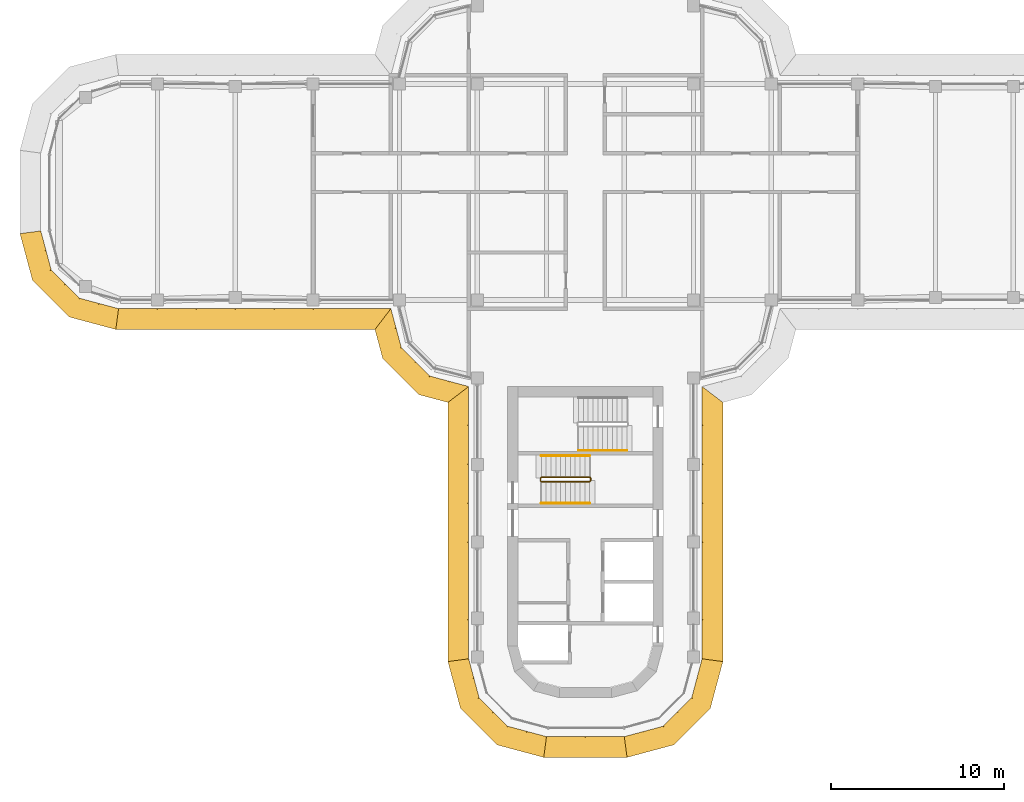
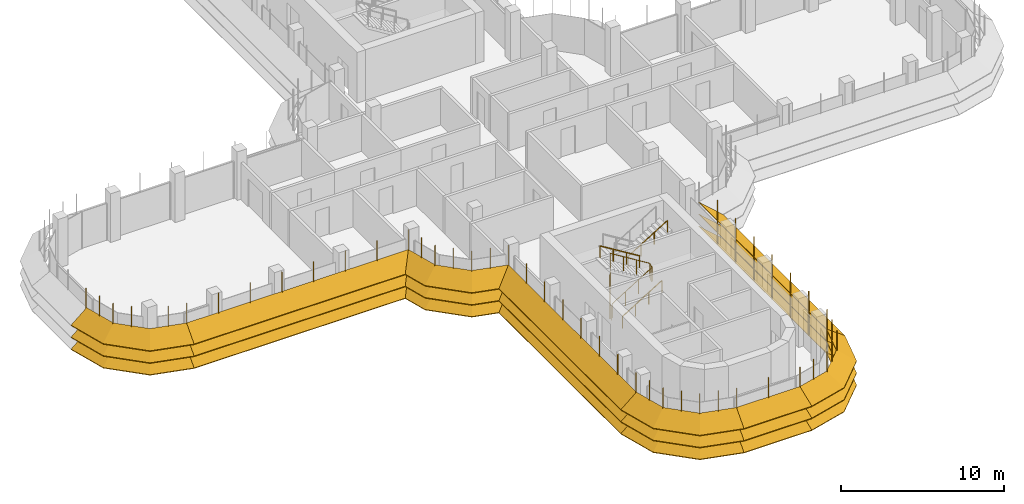
# One storey, part 16 of 18: 8 shading devices, 4 railings.
"""IFC4 building model written with IfcOpenShell, lengths in metres."""

from ifc_helpers import new_model, si_unit, direction, frame, origin, origin_2d, place, context, subcontext, project, spatial, polyline, circle, outline, extrude, faceted_brep, source, transform, mapped, material, type_object, element, save


model = new_model("IFC4")

# Units and contexts
model_context = context("Model", 3, precision=1e-05, world=origin(), true_north=direction((0.0, 1.0)))
body_context = subcontext(model_context, "Body", "Model", "MODEL_VIEW")
ifc_project = project(units=[si_unit("LENGTHUNIT", "METRE"), si_unit("AREAUNIT", "SQUARE_METRE"), si_unit("VOLUMEUNIT", "CUBIC_METRE"), si_unit("PLANEANGLEUNIT", "RADIAN"), si_unit("MASSUNIT", "GRAM", prefix="KILO")], contexts=[model_context])

# Site, building, storey
site_placement = place(None, origin())
site = spatial("IfcSite", under=ifc_project, at=site_placement, CompositionType="ELEMENT")
building_placement = place(site_placement, origin())
building = spatial("IfcBuilding", under=site, at=building_placement, Name="Zarbagh Exchange Tower", CompositionType="ELEMENT")
storey_placement = place(building_placement, frame((0.0, 0.0, 206.800048828125)))
storey = spatial("IfcBuildingStorey", under=building, at=storey_placement, Name="L50", CompositionType="ELEMENT", Elevation=206.800048828125)

# Railings
ifc_material_1 = material(Name="Stainless steel", Category="steel")
railing_type_1 = type_object("IfcRailingType", Name="Stair guard 1100 mm", PredefinedType="GUARDRAIL", material=ifc_material_1)
railing_1_placement = place(storey_placement, frame((-2.550048828125, -16.75, 0.172607421875)))
element("IfcRailing", 1, at=railing_1_placement, inside=storey, type_object=railing_type_1, Name="ST3 stair guard 1", PredefinedType="GUARDRAIL", context=body_context, shape_type="SweptSolid", body=[
    extrude(circle(Radius=0.02392578125, at=origin_2d()), frame((0.0, 0.0, 1.076171875), z_axis=(0.851089632645, 0.0, 0.525020415988), x_axis=(0.0, 1.0, 0.0)), (0.0, 0.0, 1.0), 3.2900390625),
    extrude(circle(Radius=0.02392578125, at=origin_2d()), frame((2.800048828125, 0.0, 2.80322265625), z_axis=(0.707106781187, 0.707106781187, 0.0), x_axis=(-0.707106781187, 0.707106781187, 0.0)), (0.0, 0.0, 1.0), 0.07080078125),
    extrude(circle(Radius=0.02392578125, at=origin_2d()), frame((2.85009765625, 0.050048828125, 2.80322265625), z_axis=(0.0, 1.0, 0.0), x_axis=(-1.0, 0.0, 0.0)), (0.0, 0.0, 1.0), 0.14990234375),
    extrude(circle(Radius=0.02392578125, at=origin_2d()), frame((2.85009765625, 0.199951171875, 2.80322265625), z_axis=(-0.267953482034, 0.267953482034, 0.925419830635), x_axis=(-0.707106781187, -0.707106781187, 0.0)), (0.0, 0.0, 1.0), 0.186767578125),
    extrude(circle(Radius=0.02392578125, at=origin_2d()), frame((2.800048828125, 0.25, 2.97607421875), z_axis=(-0.851089632645, 0.0, 0.525020415988), x_axis=(0.0, -1.0, 0.0)), (0.0, 0.0, 1.0), 3.2900390625),
    extrude(circle(Radius=0.02392578125, at=origin_2d()), frame((0.0, 0.25, 4.70361328125), z_axis=(-0.013168290981, -0.013168290981, -0.999826581076), x_axis=(0.707106781187, -0.707106781187, 0.0)), (0.0, 0.0, 1.0), 3.80078125),
    extrude(circle(Radius=0.02392578125, at=origin_2d()), frame((-0.050048828125, 0.199951171875, 0.9033203125), z_axis=(0.0, -1.0, 0.0), x_axis=(1.0, 0.0, 0.0)), (0.0, 0.0, 1.0), 0.14990234375),
    extrude(circle(Radius=0.02099609375, at=origin_2d()), origin(), (0.0, 0.0, 1.0), 1.052001953125),
    extrude(circle(Radius=0.02099609375, at=origin_2d()), frame((0.933349609375, 0.0, 0.57568359375)), (0.0, 0.0, 1.0), 1.052001953125),
    extrude(circle(Radius=0.02099609375, at=origin_2d()), frame((1.86669921875, 0.0, 1.151611328125)), (0.0, 0.0, 1.0), 1.052001953125),
    extrude(circle(Radius=0.02099609375, at=origin_2d()), frame((2.800048828125, 0.0, 1.727294921875)), (0.0, 0.0, 1.0), 1.052001953125),
    extrude(circle(Radius=0.02099609375, at=origin_2d()), frame((2.85009765625, 0.050048828125, 1.727294921875)), (0.0, 0.0, 1.0), 1.052001953125),
    extrude(circle(Radius=0.02099609375, at=origin_2d()), frame((2.85009765625, 0.199951171875, 1.727294921875)), (0.0, 0.0, 1.0), 1.052001953125),
    extrude(circle(Radius=0.02099609375, at=origin_2d()), frame((2.800048828125, 0.25, 1.900146484375)), (0.0, 0.0, 1.0), 1.052001953125),
    extrude(circle(Radius=0.02099609375, at=origin_2d()), frame((1.86669921875, 0.25, 2.475830078125)), (0.0, 0.0, 1.0), 1.052001953125),
    extrude(circle(Radius=0.02099609375, at=origin_2d()), frame((0.933349609375, 0.25, 3.0517578125)), (0.0, 0.0, 1.0), 1.052001953125),
    extrude(circle(Radius=0.02099609375, at=origin_2d()), frame((0.0, 0.25, 3.62744140625)), (0.0, 0.0, 1.0), 1.052001953125),
    extrude(circle(Radius=0.02099609375, at=origin_2d()), frame((-0.012451171875, 0.237548828125, 2.677490234375)), (0.0, 0.0, 1.0), 1.052001953125),
    extrude(circle(Radius=0.02099609375, at=origin_2d()), frame((-0.02490234375, 0.22509765625, 1.7275390625)), (0.0, 0.0, 1.0), 1.052001953125),
    extrude(circle(Radius=0.02099609375, at=origin_2d()), frame((-0.03759765625, 0.21240234375, 0.77734375)), (0.0, 0.0, 1.0), 1.052001953125),
    extrude(circle(Radius=0.02099609375, at=origin_2d()), frame((-0.050048828125, 0.199951171875, -0.172607421875)), (0.0, 0.0, 1.0), 1.052001953125),
    extrude(circle(Radius=0.02099609375, at=origin_2d()), frame((-0.050048828125, 0.050048828125, -0.172607421875)), (0.0, 0.0, 1.0), 1.052001953125),
])
railing_type_2 = type_object("IfcRailingType", Name="Stair handrail 900 mm", PredefinedType="HANDRAIL", material=ifc_material_1)
railing_2_placement = place(storey_placement, frame((-2.550048828125, -18.0, 0.172607421875)))
element("IfcRailing", 2, at=railing_2_placement, inside=storey, type_object=railing_type_2, Name="ST3 stair handrail 1", PredefinedType="HANDRAIL", context=body_context, shape_type="SweptSolid", body=[
    extrude(circle(Radius=0.02392578125, at=origin_2d()), frame((0.0, 0.0, 0.8759765625), z_axis=(0.851089632645, 0.0, 0.525020415988), x_axis=(0.0, 1.0, 0.0)), (0.0, 0.0, 1.0), 3.2900390625),
    extrude(circle(Radius=0.02099609375, at=origin_2d()), origin(), (0.0, 0.0, 1.0), 0.851806640625),
    extrude(circle(Radius=0.02099609375, at=origin_2d()), frame((0.933349609375, 0.0, 0.57568359375)), (0.0, 0.0, 1.0), 0.851806640625),
    extrude(circle(Radius=0.02099609375, at=origin_2d()), frame((1.86669921875, 0.0, 1.151611328125)), (0.0, 0.0, 1.0), 0.851806640625),
    extrude(circle(Radius=0.02099609375, at=origin_2d()), frame((2.800048828125, 0.0, 1.727294921875)), (0.0, 0.0, 1.0), 0.851806640625),
])
railing_3_placement = place(storey_placement, frame((0.25, -15.25, 2.07275390625)))
element("IfcRailing", 3, at=railing_3_placement, inside=storey, type_object=railing_type_2, Name="ST3 stair handrail 2", PredefinedType="HANDRAIL", context=body_context, shape_type="SweptSolid", body=[
    extrude(circle(Radius=0.02392578125, at=origin_2d()), frame((0.0, 0.0, 0.8759765625), z_axis=(-0.851089632645, 0.0, 0.525020415988), x_axis=(0.0, -1.0, 0.0)), (0.0, 0.0, 1.0), 3.2900390625),
    extrude(circle(Radius=0.02099609375, at=origin_2d()), origin(), (0.0, 0.0, 1.0), 0.851806640625),
    extrude(circle(Radius=0.02099609375, at=origin_2d()), frame((-0.933349609375, 0.0, 0.57568359375)), (0.0, 0.0, 1.0), 0.851806640625),
    extrude(circle(Radius=0.02099609375, at=origin_2d()), frame((-1.86669921875, 0.0, 1.151611328125)), (0.0, 0.0, 1.0), 0.851806640625),
    extrude(circle(Radius=0.02099609375, at=origin_2d()), frame((-2.800048828125, 0.0, 1.727294921875)), (0.0, 0.0, 1.0), 0.851806640625),
])
railing_4_placement = place(storey_placement, frame((-0.39990234375, -14.949951171875, 2.07275390625)))
element("IfcRailing", 4, at=railing_4_placement, inside=storey, type_object=railing_type_2, Name="ST4 stair handrail 2", PredefinedType="HANDRAIL", context=body_context, shape_type="SweptSolid", body=[
    extrude(circle(Radius=0.02392578125, at=origin_2d()), frame((0.0, 0.0, 0.8759765625), z_axis=(0.851069175582, 0.0, 0.525053576669), x_axis=(0.0, 1.0, 0.0)), (0.0, 0.0, 1.0), 3.289794921875),
    extrude(circle(Radius=0.02099609375, at=origin_2d()), origin(), (0.0, 0.0, 1.0), 0.851806640625),
    extrude(circle(Radius=0.02099609375, at=origin_2d()), frame((0.933349609375, 0.0, 0.57568359375)), (0.0, 0.0, 1.0), 0.851806640625),
    extrude(circle(Radius=0.02099609375, at=origin_2d()), frame((1.866455078125, 0.0, 1.151611328125)), (0.0, 0.0, 1.0), 0.851806640625),
    extrude(circle(Radius=0.02099609375, at=origin_2d()), frame((2.7998046875, 0.0, 1.727294921875)), (0.0, 0.0, 1.0), 0.851806640625),
])

# Shading devices
ifc_material_2 = material(Name="Anodised aluminium blades and brackets", Category="aluminium")
shading_device_type = type_object("IfcShadingDeviceType", Name="SUNSHADE louvre band, 33.75 degree blades", PredefinedType="JALOUSIE", material=ifc_material_2)
shared_shape_1 = source(origin(), body_context, "Body", "Brep", [
    faceted_brep([(0.0, 0.0, 0.0), (0.0, 0.0, -0.048095703125), (-0.157958984375, -1.199951171875, -0.849853515625), (-0.157958984375, -1.199951171875, -0.8017578125), (2.65087890625, -1.199951171875, -0.8017578125), (2.65087890625, -1.199951171875, -0.849853515625), (2.329345703125, 0.0, -0.048095703125), (2.329345703125, 0.0, 0.0)], [[[0, 1, 2, 3]], [[4, 5, 6, 7]], [[0, 7, 6, 1]], [[1, 6, 5, 2]], [[2, 5, 4, 3]], [[3, 4, 7, 0]]]),
])
shared_shape_2 = source(origin(), body_context, "Body", "Brep", [
    faceted_brep([(0.0, 0.0, 0.0), (0.0, 0.0, -0.048095703125), (-0.321533203125, -1.199951171875, -0.849853515625), (-0.321533203125, -1.199951171875, -0.8017578125), (2.65087890625, -1.199951171875, -0.8017578125), (2.65087890625, -1.199951171875, -0.849853515625), (2.329345703125, 0.0, -0.048095703125), (2.329345703125, 0.0, 0.0)], [[[0, 1, 2, 3]], [[4, 5, 6, 7]], [[0, 7, 6, 1]], [[1, 6, 5, 2]], [[2, 5, 4, 3]], [[3, 4, 7, 0]]]),
])
shared_shape_3 = source(origin(), body_context, "Body", "Brep", [
    faceted_brep([(0.0, 0.0, 0.0), (0.0, 0.0, -0.048095703125), (-0.321533203125, -1.199951171875, -0.849853515625), (-0.321533203125, -1.199951171875, -0.8017578125), (2.4873046875, -1.199951171875, -0.8017578125), (2.4873046875, -1.199951171875, -0.849853515625), (2.329345703125, 0.0, -0.048095703125), (2.329345703125, 0.0, 0.0)], [[[0, 1, 2, 3]], [[4, 5, 6, 7]], [[0, 7, 6, 1]], [[1, 6, 5, 2]], [[2, 5, 4, 3]], [[3, 4, 7, 0]]]),
])
shared_shape_4 = source(origin(), body_context, "Body", "SweptSolid", [
    extrude(outline(polyline([(0.0, -0.012451171875), (0.06005859375, -0.012451171875), (0.06005859375, 0.012451171875), (0.0, 0.012451171875), (0.0, -0.012451171875)])), origin(), (0.0, 0.0, 1.0), 3.358154296875),
])
placement = place(storey_placement, origin())
element("IfcShadingDevice", 5, at=placement, inside=storey, type_object=shading_device_type, Name="SS35 sunshade band", PredefinedType="JALOUSIE", context=body_context, shape_type="MappedRepresentation", body=[
    mapped(shared_shape_1, transform((2.25, -31.5, 2.300048828125), x_axis=(0.965924289636, 0.258824779902, 0.0), y_axis=(-0.258824779902, 0.965924289636, 0.0), z_axis=(0.0, 0.0, 1.0))),
    mapped(shared_shape_1, transform((2.25, -31.5, 1.39990234375), x_axis=(0.965924289636, 0.258824779902, 0.0), y_axis=(-0.258824779902, 0.965924289636, 0.0), z_axis=(0.0, 0.0, 1.0))),
    mapped(shared_shape_1, transform((2.25, -31.5, 0.5), x_axis=(0.965924289636, 0.258824779902, 0.0), y_axis=(-0.258824779902, 0.965924289636, 0.0), z_axis=(0.0, 0.0, 1.0))),
    mapped(shared_shape_2, transform((4.5, -30.897216796875, 2.300048828125), x_axis=(0.707106781187, 0.707106781187, 0.0), y_axis=(-0.707106781187, 0.707106781187, 0.0), z_axis=(0.0, 0.0, 1.0))),
    mapped(shared_shape_2, transform((4.5, -30.897216796875, 1.39990234375), x_axis=(0.707106781187, 0.707106781187, 0.0), y_axis=(-0.707106781187, 0.707106781187, 0.0), z_axis=(0.0, 0.0, 1.0))),
    mapped(shared_shape_2, transform((4.5, -30.897216796875, 0.5), x_axis=(0.707106781187, 0.707106781187, 0.0), y_axis=(-0.707106781187, 0.707106781187, 0.0), z_axis=(0.0, 0.0, 1.0))),
    mapped(shared_shape_3, transform((6.147216796875, -29.25, 2.300048828125), x_axis=(0.258824779902, 0.965924289636, 0.0), y_axis=(-0.965924289636, 0.258824779902, 0.0), z_axis=(0.0, 0.0, 1.0))),
    mapped(shared_shape_3, transform((6.147216796875, -29.25, 1.39990234375), x_axis=(0.258824779902, 0.965924289636, 0.0), y_axis=(-0.965924289636, 0.258824779902, 0.0), z_axis=(0.0, 0.0, 1.0))),
    mapped(shared_shape_3, transform((6.147216796875, -29.25, 0.5), x_axis=(0.258824779902, 0.965924289636, 0.0), y_axis=(-0.965924289636, 0.258824779902, 0.0), z_axis=(0.0, 0.0, 1.0))),
    mapped(shared_shape_4, transform((2.25, -31.5, 0.421875), x_axis=(0.130529263012, -0.991444457092, 0.0), y_axis=(0.991444457092, 0.130529263012, 0.0), z_axis=(0.0, 0.0, 1.0))),
    mapped(shared_shape_4, transform((3.375, -31.198486328125, 0.421875), x_axis=(0.258825058029, -0.96592421511, 0.0), y_axis=(0.96592421511, 0.258825058029, 0.0), z_axis=(0.0, 0.0, 1.0))),
    mapped(shared_shape_4, transform((4.5, -30.897216796875, 0.421875), x_axis=(0.50000275701, -0.866023812018, 0.0), y_axis=(0.866023812018, 0.50000275701, 0.0), z_axis=(0.0, 0.0, 1.0))),
    mapped(shared_shape_4, transform((5.323486328125, -30.073486328125, 0.421875), x_axis=(0.707106781187, -0.707106781187, 0.0), y_axis=(0.707106781187, 0.707106781187, 0.0), z_axis=(0.0, 0.0, 1.0))),
    mapped(shared_shape_4, transform((6.147216796875, -29.25, 0.421875), x_axis=(0.866023812018, -0.50000275701, 0.0), y_axis=(0.50000275701, 0.866023812018, 0.0), z_axis=(0.0, 0.0, 1.0))),
    mapped(shared_shape_4, transform((6.448486328125, -28.125, 0.421875), x_axis=(0.96592421511, -0.258825058029, 0.0), y_axis=(0.258825058029, 0.96592421511, 0.0), z_axis=(0.0, 0.0, 1.0))),
])
element("IfcShadingDevice", 6, at=placement, inside=storey, type_object=shading_device_type, Name="SS43 sunshade band", PredefinedType="JALOUSIE", context=body_context, shape_type="MappedRepresentation", body=[
    mapped(shared_shape_1, transform((-31.5, -2.25, 2.300048828125), x_axis=(0.258824779902, -0.965924289636, 0.0), y_axis=(0.965924289636, 0.258824779902, 0.0), z_axis=(0.0, 0.0, 1.0))),
    mapped(shared_shape_1, transform((-31.5, -2.25, 1.39990234375), x_axis=(0.258824779902, -0.965924289636, 0.0), y_axis=(0.965924289636, 0.258824779902, 0.0), z_axis=(0.0, 0.0, 1.0))),
    mapped(shared_shape_1, transform((-31.5, -2.25, 0.5), x_axis=(0.258824779902, -0.965924289636, 0.0), y_axis=(0.965924289636, 0.258824779902, 0.0), z_axis=(0.0, 0.0, 1.0))),
    mapped(shared_shape_2, transform((-30.897216796875, -4.5, 2.300048828125), x_axis=(0.707106781187, -0.707106781187, 0.0), y_axis=(0.707106781187, 0.707106781187, 0.0), z_axis=(0.0, 0.0, 1.0))),
    mapped(shared_shape_2, transform((-30.897216796875, -4.5, 1.39990234375), x_axis=(0.707106781187, -0.707106781187, 0.0), y_axis=(0.707106781187, 0.707106781187, 0.0), z_axis=(0.0, 0.0, 1.0))),
    mapped(shared_shape_2, transform((-30.897216796875, -4.5, 0.5), x_axis=(0.707106781187, -0.707106781187, 0.0), y_axis=(0.707106781187, 0.707106781187, 0.0), z_axis=(0.0, 0.0, 1.0))),
    mapped(shared_shape_3, transform((-29.25, -6.147216796875, 2.300048828125), x_axis=(0.965924289636, -0.258824779902, 0.0), y_axis=(0.258824779902, 0.965924289636, 0.0), z_axis=(0.0, 0.0, 1.0))),
    mapped(shared_shape_3, transform((-29.25, -6.147216796875, 1.39990234375), x_axis=(0.965924289636, -0.258824779902, 0.0), y_axis=(0.258824779902, 0.965924289636, 0.0), z_axis=(0.0, 0.0, 1.0))),
    mapped(shared_shape_3, transform((-29.25, -6.147216796875, 0.5), x_axis=(0.965924289636, -0.258824779902, 0.0), y_axis=(0.258824779902, 0.965924289636, 0.0), z_axis=(0.0, 0.0, 1.0))),
    mapped(shared_shape_4, transform((-31.5, -2.25, 0.421875), x_axis=(-0.991444457092, -0.130529263012, 0.0), y_axis=(0.130529263012, -0.991444457092, 0.0), z_axis=(0.0, 0.0, 1.0))),
    mapped(shared_shape_4, transform((-31.198486328125, -3.375, 0.421875), x_axis=(-0.96592421511, -0.258825058029, 0.0), y_axis=(0.258825058029, -0.96592421511, 0.0), z_axis=(0.0, 0.0, 1.0))),
    mapped(shared_shape_4, transform((-30.897216796875, -4.5, 0.421875), x_axis=(-0.866023812018, -0.50000275701, 0.0), y_axis=(0.50000275701, -0.866023812018, 0.0), z_axis=(0.0, 0.0, 1.0))),
    mapped(shared_shape_4, transform((-30.073486328125, -5.323486328125, 0.421875), x_axis=(-0.707106781187, -0.707106781187, 0.0), y_axis=(0.707106781187, -0.707106781187, 0.0), z_axis=(0.0, 0.0, 1.0))),
    mapped(shared_shape_4, transform((-29.25, -6.147216796875, 0.421875), x_axis=(-0.50000275701, -0.866023812018, 0.0), y_axis=(0.866023812018, -0.50000275701, 0.0), z_axis=(0.0, 0.0, 1.0))),
    mapped(shared_shape_4, transform((-28.125, -6.448486328125, 0.421875), x_axis=(-0.258825058029, -0.96592421511, 0.0), y_axis=(0.96592421511, -0.258825058029, 0.0), z_axis=(0.0, 0.0, 1.0))),
])
element("IfcShadingDevice", 7, at=placement, inside=storey, type_object=shading_device_type, Name="SS38 sunshade band", PredefinedType="JALOUSIE", context=body_context, shape_type="MappedRepresentation", body=[
    mapped(shared_shape_1, transform((-6.75, -27.0, 2.300048828125), x_axis=(0.258824779902, -0.965924289636, 0.0), y_axis=(0.965924289636, 0.258824779902, 0.0), z_axis=(0.0, 0.0, 1.0))),
    mapped(shared_shape_1, transform((-6.75, -27.0, 1.39990234375), x_axis=(0.258824779902, -0.965924289636, 0.0), y_axis=(0.965924289636, 0.258824779902, 0.0), z_axis=(0.0, 0.0, 1.0))),
    mapped(shared_shape_1, transform((-6.75, -27.0, 0.5), x_axis=(0.258824779902, -0.965924289636, 0.0), y_axis=(0.965924289636, 0.258824779902, 0.0), z_axis=(0.0, 0.0, 1.0))),
    mapped(shared_shape_2, transform((-6.147216796875, -29.25, 2.300048828125), x_axis=(0.707106781187, -0.707106781187, 0.0), y_axis=(0.707106781187, 0.707106781187, 0.0), z_axis=(0.0, 0.0, 1.0))),
    mapped(shared_shape_2, transform((-6.147216796875, -29.25, 1.39990234375), x_axis=(0.707106781187, -0.707106781187, 0.0), y_axis=(0.707106781187, 0.707106781187, 0.0), z_axis=(0.0, 0.0, 1.0))),
    mapped(shared_shape_2, transform((-6.147216796875, -29.25, 0.5), x_axis=(0.707106781187, -0.707106781187, 0.0), y_axis=(0.707106781187, 0.707106781187, 0.0), z_axis=(0.0, 0.0, 1.0))),
    mapped(shared_shape_3, transform((-4.5, -30.897216796875, 2.300048828125), x_axis=(0.965924289636, -0.258824779902, 0.0), y_axis=(0.258824779902, 0.965924289636, 0.0), z_axis=(0.0, 0.0, 1.0))),
    mapped(shared_shape_3, transform((-4.5, -30.897216796875, 1.39990234375), x_axis=(0.965924289636, -0.258824779902, 0.0), y_axis=(0.258824779902, 0.965924289636, 0.0), z_axis=(0.0, 0.0, 1.0))),
    mapped(shared_shape_3, transform((-4.5, -30.897216796875, 0.5), x_axis=(0.965924289636, -0.258824779902, 0.0), y_axis=(0.258824779902, 0.965924289636, 0.0), z_axis=(0.0, 0.0, 1.0))),
    mapped(shared_shape_4, transform((-6.75, -27.0, 0.421875), x_axis=(-0.991444457092, -0.130529263012, 0.0), y_axis=(0.130529263012, -0.991444457092, 0.0), z_axis=(0.0, 0.0, 1.0))),
    mapped(shared_shape_4, transform((-6.448486328125, -28.125, 0.421875), x_axis=(-0.96592421511, -0.258825058029, 0.0), y_axis=(0.258825058029, -0.96592421511, 0.0), z_axis=(0.0, 0.0, 1.0))),
    mapped(shared_shape_4, transform((-6.147216796875, -29.25, 0.421875), x_axis=(-0.866023812018, -0.50000275701, 0.0), y_axis=(0.50000275701, -0.866023812018, 0.0), z_axis=(0.0, 0.0, 1.0))),
    mapped(shared_shape_4, transform((-5.323486328125, -30.073486328125, 0.421875), x_axis=(-0.707106781187, -0.707106781187, 0.0), y_axis=(0.707106781187, -0.707106781187, 0.0), z_axis=(0.0, 0.0, 1.0))),
    mapped(shared_shape_4, transform((-4.5, -30.897216796875, 0.421875), x_axis=(-0.50000275701, -0.866023812018, 0.0), y_axis=(0.866023812018, -0.50000275701, 0.0), z_axis=(0.0, 0.0, 1.0))),
    mapped(shared_shape_4, transform((-3.375, -31.198486328125, 0.421875), x_axis=(-0.258825058029, -0.96592421511, 0.0), y_axis=(0.96592421511, -0.258825058029, 0.0), z_axis=(0.0, 0.0, 1.0))),
])
shared_shape_5 = source(origin(), body_context, "Body", "Brep", [
    faceted_brep([(0.0, 0.0, 0.0), (0.0, 0.0, -0.048095703125), (0.9208984375, -1.199951171875, -0.849853515625), (0.9208984375, -1.199951171875, -0.8017578125), (2.65087890625, -1.199951171875, -0.8017578125), (2.65087890625, -1.199951171875, -0.849853515625), (2.329345703125, 0.0, -0.048095703125), (2.329345703125, 0.0, 0.0)], [[[0, 1, 2, 3]], [[4, 5, 6, 7]], [[0, 7, 6, 1]], [[1, 6, 5, 2]], [[2, 5, 4, 3]], [[3, 4, 7, 0]]]),
])
shared_shape_6 = source(origin(), body_context, "Body", "Brep", [
    faceted_brep([(0.0, 0.0, 0.0), (0.0, 0.0, -0.048095703125), (-0.321533203125, -1.199951171875, -0.849853515625), (-0.321533203125, -1.199951171875, -0.8017578125), (1.40869140625, -1.199951171875, -0.8017578125), (1.40869140625, -1.199951171875, -0.849853515625), (2.329345703125, 0.0, -0.048095703125), (2.329345703125, 0.0, 0.0)], [[[0, 1, 2, 3]], [[4, 5, 6, 7]], [[0, 7, 6, 1]], [[1, 6, 5, 2]], [[2, 5, 4, 3]], [[3, 4, 7, 0]]]),
])
element("IfcShadingDevice", 8, at=placement, inside=storey, type_object=shading_device_type, Name="SS21 sunshade band", PredefinedType="JALOUSIE", context=body_context, shape_type="MappedRepresentation", body=[
    mapped(shared_shape_5, transform((-11.25, -6.75, 2.300048828125), x_axis=(0.258824779902, -0.965924289636, 0.0), y_axis=(0.965924289636, 0.258824779902, 0.0), z_axis=(0.0, 0.0, 1.0))),
    mapped(shared_shape_5, transform((-11.25, -6.75, 1.39990234375), x_axis=(0.258824779902, -0.965924289636, 0.0), y_axis=(0.965924289636, 0.258824779902, 0.0), z_axis=(0.0, 0.0, 1.0))),
    mapped(shared_shape_5, transform((-11.25, -6.75, 0.5), x_axis=(0.258824779902, -0.965924289636, 0.0), y_axis=(0.965924289636, 0.258824779902, 0.0), z_axis=(0.0, 0.0, 1.0))),
    mapped(shared_shape_2, transform((-10.647216796875, -9.0, 2.300048828125), x_axis=(0.707106781187, -0.707106781187, 0.0), y_axis=(0.707106781187, 0.707106781187, 0.0), z_axis=(0.0, 0.0, 1.0))),
    mapped(shared_shape_2, transform((-10.647216796875, -9.0, 1.39990234375), x_axis=(0.707106781187, -0.707106781187, 0.0), y_axis=(0.707106781187, 0.707106781187, 0.0), z_axis=(0.0, 0.0, 1.0))),
    mapped(shared_shape_2, transform((-10.647216796875, -9.0, 0.5), x_axis=(0.707106781187, -0.707106781187, 0.0), y_axis=(0.707106781187, 0.707106781187, 0.0), z_axis=(0.0, 0.0, 1.0))),
    mapped(shared_shape_6, transform((-9.0, -10.647216796875, 2.300048828125), x_axis=(0.965924289636, -0.258824779902, 0.0), y_axis=(0.258824779902, 0.965924289636, 0.0), z_axis=(0.0, 0.0, 1.0))),
    mapped(shared_shape_6, transform((-9.0, -10.647216796875, 1.39990234375), x_axis=(0.965924289636, -0.258824779902, 0.0), y_axis=(0.258824779902, 0.965924289636, 0.0), z_axis=(0.0, 0.0, 1.0))),
    mapped(shared_shape_6, transform((-9.0, -10.647216796875, 0.5), x_axis=(0.965924289636, -0.258824779902, 0.0), y_axis=(0.258824779902, 0.965924289636, 0.0), z_axis=(0.0, 0.0, 1.0))),
    mapped(shared_shape_4, transform((-11.25, -6.75, 0.421875), x_axis=(-0.608758892, -0.793355287, 0.0), y_axis=(0.793355287, -0.608758892, 0.0), z_axis=(0.0, 0.0, 1.0))),
    mapped(shared_shape_4, transform((-10.948486328125, -7.875, 0.421875), x_axis=(-0.96592421511, -0.258825058029, 0.0), y_axis=(0.258825058029, -0.96592421511, 0.0), z_axis=(0.0, 0.0, 1.0))),
    mapped(shared_shape_4, transform((-10.647216796875, -9.0, 0.421875), x_axis=(-0.866023812018, -0.50000275701, 0.0), y_axis=(0.50000275701, -0.866023812018, 0.0), z_axis=(0.0, 0.0, 1.0))),
    mapped(shared_shape_4, transform((-9.823486328125, -9.823486328125, 0.421875), x_axis=(-0.707106781187, -0.707106781187, 0.0), y_axis=(0.707106781187, -0.707106781187, 0.0), z_axis=(0.0, 0.0, 1.0))),
    mapped(shared_shape_4, transform((-9.0, -10.647216796875, 0.421875), x_axis=(-0.50000275701, -0.866023812018, 0.0), y_axis=(0.866023812018, -0.50000275701, 0.0), z_axis=(0.0, 0.0, 1.0))),
    mapped(shared_shape_4, transform((-7.875, -10.948486328125, 0.421875), x_axis=(-0.258825058029, -0.96592421511, 0.0), y_axis=(0.96592421511, -0.258825058029, 0.0), z_axis=(0.0, 0.0, 1.0))),
])
shared_shape_7 = source(origin(), body_context, "Body", "Brep", [
    faceted_brep([(0.0, 0.0, 0.0), (0.0, 0.0, -0.048095703125), (-0.157958984375, -1.199951171875, -0.849853515625), (-0.157958984375, -1.199951171875, -0.8017578125), (14.8291015625, -1.199951171875, -0.8017578125), (14.8291015625, -1.199951171875, -0.849853515625), (15.75, 0.0, -0.048095703125), (15.75, 0.0, 0.0)], [[[0, 1, 2, 3]], [[4, 5, 6, 7]], [[0, 7, 6, 1]], [[1, 6, 5, 2]], [[2, 5, 4, 3]], [[3, 4, 7, 0]]]),
])
element("IfcShadingDevice", 9, at=placement, inside=storey, type_object=shading_device_type, Name="SS36 sunshade band", PredefinedType="JALOUSIE", context=body_context, shape_type="MappedRepresentation", body=[
    mapped(shared_shape_7, transform((6.75, -27.0, 2.300048828125), x_axis=(0.0, 1.0, 0.0), y_axis=(-1.0, 0.0, 0.0), z_axis=(0.0, 0.0, 1.0))),
    mapped(shared_shape_7, transform((6.75, -27.0, 1.39990234375), x_axis=(0.0, 1.0, 0.0), y_axis=(-1.0, 0.0, 0.0), z_axis=(0.0, 0.0, 1.0))),
    mapped(shared_shape_7, transform((6.75, -27.0, 0.5), x_axis=(0.0, 1.0, 0.0), y_axis=(-1.0, 0.0, 0.0), z_axis=(0.0, 0.0, 1.0))),
    mapped(shared_shape_4, transform((6.75, -27.0, 0.421875), x_axis=(0.991444457092, -0.130529263012, 0.0), y_axis=(0.130529263012, 0.991444457092, 0.0), z_axis=(0.0, 0.0, 1.0))),
    mapped(shared_shape_4, transform((6.75, -24.75, 0.421875), x_axis=(1.0, 0.0, 0.0), y_axis=(0.0, 1.0, 0.0), z_axis=(0.0, 0.0, 1.0))),
    mapped(shared_shape_4, transform((6.75, -22.5, 0.421875), x_axis=(1.0, 0.0, 0.0), y_axis=(0.0, 1.0, 0.0), z_axis=(0.0, 0.0, 1.0))),
    mapped(shared_shape_4, transform((6.75, -20.25, 0.421875), x_axis=(1.0, 0.0, 0.0), y_axis=(0.0, 1.0, 0.0), z_axis=(0.0, 0.0, 1.0))),
    mapped(shared_shape_4, transform((6.75, -18.0, 0.421875), x_axis=(1.0, 0.0, 0.0), y_axis=(0.0, 1.0, 0.0), z_axis=(0.0, 0.0, 1.0))),
    mapped(shared_shape_4, transform((6.75, -15.75, 0.421875), x_axis=(1.0, 0.0, 0.0), y_axis=(0.0, 1.0, 0.0), z_axis=(0.0, 0.0, 1.0))),
    mapped(shared_shape_4, transform((6.75, -13.5, 0.421875), x_axis=(1.0, 0.0, 0.0), y_axis=(0.0, 1.0, 0.0), z_axis=(0.0, 0.0, 1.0))),
])
element("IfcShadingDevice", 10, at=placement, inside=storey, type_object=shading_device_type, Name="SS44 sunshade band", PredefinedType="JALOUSIE", context=body_context, shape_type="MappedRepresentation", body=[
    mapped(shared_shape_7, transform((-27.0, -6.75, 2.300048828125), x_axis=(1.0, 0.0, 0.0), y_axis=(0.0, 1.0, 0.0), z_axis=(0.0, 0.0, 1.0))),
    mapped(shared_shape_7, transform((-27.0, -6.75, 1.39990234375), x_axis=(1.0, 0.0, 0.0), y_axis=(0.0, 1.0, 0.0), z_axis=(0.0, 0.0, 1.0))),
    mapped(shared_shape_7, transform((-27.0, -6.75, 0.5), x_axis=(1.0, 0.0, 0.0), y_axis=(0.0, 1.0, 0.0), z_axis=(0.0, 0.0, 1.0))),
    mapped(shared_shape_4, transform((-27.0, -6.75, 0.421875), x_axis=(-0.130529263012, -0.991444457092, 0.0), y_axis=(0.991444457092, -0.130529263012, 0.0), z_axis=(0.0, 0.0, 1.0))),
    mapped(shared_shape_4, transform((-24.75, -6.75, 0.421875), x_axis=(0.0, -1.0, 0.0), y_axis=(1.0, 0.0, 0.0), z_axis=(0.0, 0.0, 1.0))),
    mapped(shared_shape_4, transform((-22.5, -6.75, 0.421875), x_axis=(0.0, -1.0, 0.0), y_axis=(1.0, 0.0, 0.0), z_axis=(0.0, 0.0, 1.0))),
    mapped(shared_shape_4, transform((-20.25, -6.75, 0.421875), x_axis=(0.0, -1.0, 0.0), y_axis=(1.0, 0.0, 0.0), z_axis=(0.0, 0.0, 1.0))),
    mapped(shared_shape_4, transform((-18.0, -6.75, 0.421875), x_axis=(0.0, -1.0, 0.0), y_axis=(1.0, 0.0, 0.0), z_axis=(0.0, 0.0, 1.0))),
    mapped(shared_shape_4, transform((-15.75, -6.75, 0.421875), x_axis=(0.0, -1.0, 0.0), y_axis=(1.0, 0.0, 0.0), z_axis=(0.0, 0.0, 1.0))),
    mapped(shared_shape_4, transform((-13.5, -6.75, 0.421875), x_axis=(0.0, -1.0, 0.0), y_axis=(1.0, 0.0, 0.0), z_axis=(0.0, 0.0, 1.0))),
])
shared_shape_8 = source(origin(), body_context, "Body", "Brep", [
    faceted_brep([(0.0, 0.0, 0.0), (0.0, 0.0, -0.048095703125), (0.9208984375, -1.199951171875, -0.849853515625), (0.9208984375, -1.199951171875, -0.8017578125), (15.907958984375, -1.199951171875, -0.8017578125), (15.907958984375, -1.199951171875, -0.849853515625), (15.75, 0.0, -0.048095703125), (15.75, 0.0, 0.0)], [[[0, 1, 2, 3]], [[4, 5, 6, 7]], [[0, 7, 6, 1]], [[1, 6, 5, 2]], [[2, 5, 4, 3]], [[3, 4, 7, 0]]]),
])
element("IfcShadingDevice", 11, at=placement, inside=storey, type_object=shading_device_type, Name="SS37 sunshade band", PredefinedType="JALOUSIE", context=body_context, shape_type="MappedRepresentation", body=[
    mapped(shared_shape_8, transform((-6.75, -11.25, 2.300048828125), x_axis=(0.0, -1.0, 0.0), y_axis=(1.0, 0.0, 0.0), z_axis=(0.0, 0.0, 1.0))),
    mapped(shared_shape_8, transform((-6.75, -11.25, 1.39990234375), x_axis=(0.0, -1.0, 0.0), y_axis=(1.0, 0.0, 0.0), z_axis=(0.0, 0.0, 1.0))),
    mapped(shared_shape_8, transform((-6.75, -11.25, 0.5), x_axis=(0.0, -1.0, 0.0), y_axis=(1.0, 0.0, 0.0), z_axis=(0.0, 0.0, 1.0))),
    mapped(shared_shape_4, transform((-6.75, -11.25, 0.421875), x_axis=(-0.793355287, -0.608758892, 0.0), y_axis=(0.608758892, -0.793355287, 0.0), z_axis=(0.0, 0.0, 1.0))),
    mapped(shared_shape_4, transform((-6.75, -13.5, 0.421875), x_axis=(-1.0, 0.0, 0.0), y_axis=(0.0, -1.0, 0.0), z_axis=(0.0, 0.0, 1.0))),
    mapped(shared_shape_4, transform((-6.75, -15.75, 0.421875), x_axis=(-1.0, 0.0, 0.0), y_axis=(0.0, -1.0, 0.0), z_axis=(0.0, 0.0, 1.0))),
    mapped(shared_shape_4, transform((-6.75, -18.0, 0.421875), x_axis=(-1.0, 0.0, 0.0), y_axis=(0.0, -1.0, 0.0), z_axis=(0.0, 0.0, 1.0))),
    mapped(shared_shape_4, transform((-6.75, -20.25, 0.421875), x_axis=(-1.0, 0.0, 0.0), y_axis=(0.0, -1.0, 0.0), z_axis=(0.0, 0.0, 1.0))),
    mapped(shared_shape_4, transform((-6.75, -22.5, 0.421875), x_axis=(-1.0, 0.0, 0.0), y_axis=(0.0, -1.0, 0.0), z_axis=(0.0, 0.0, 1.0))),
    mapped(shared_shape_4, transform((-6.75, -24.75, 0.421875), x_axis=(-1.0, 0.0, 0.0), y_axis=(0.0, -1.0, 0.0), z_axis=(0.0, 0.0, 1.0))),
])
shared_shape_9 = source(origin(), body_context, "Body", "Brep", [
    faceted_brep([(0.0, 0.0, 0.0), (0.0, 0.0, -0.048095703125), (-0.157958984375, -1.199951171875, -0.849853515625), (-0.157958984375, -1.199951171875, -0.8017578125), (4.657958984375, -1.199951171875, -0.8017578125), (4.657958984375, -1.199951171875, -0.849853515625), (4.5, 0.0, -0.048095703125), (4.5, 0.0, 0.0)], [[[0, 1, 2, 3]], [[4, 5, 6, 7]], [[0, 7, 6, 1]], [[1, 6, 5, 2]], [[2, 5, 4, 3]], [[3, 4, 7, 0]]]),
])
element("IfcShadingDevice", 12, at=placement, inside=storey, type_object=shading_device_type, Name="SS39 sunshade band", PredefinedType="JALOUSIE", context=body_context, shape_type="MappedRepresentation", body=[
    mapped(shared_shape_9, transform((-2.25, -31.5, 2.300048828125), x_axis=(1.0, 0.0, 0.0), y_axis=(0.0, 1.0, 0.0), z_axis=(0.0, 0.0, 1.0))),
    mapped(shared_shape_9, transform((-2.25, -31.5, 1.39990234375), x_axis=(1.0, 0.0, 0.0), y_axis=(0.0, 1.0, 0.0), z_axis=(0.0, 0.0, 1.0))),
    mapped(shared_shape_9, transform((-2.25, -31.5, 0.5), x_axis=(1.0, 0.0, 0.0), y_axis=(0.0, 1.0, 0.0), z_axis=(0.0, 0.0, 1.0))),
    mapped(shared_shape_4, transform((-2.25, -31.5, 0.421875), x_axis=(-0.130529263012, -0.991444457092, 0.0), y_axis=(0.991444457092, -0.130529263012, 0.0), z_axis=(0.0, 0.0, 1.0))),
    mapped(shared_shape_4, transform((0.0, -31.5, 0.421875), x_axis=(0.0, -1.0, 0.0), y_axis=(1.0, 0.0, 0.0), z_axis=(0.0, 0.0, 1.0))),
])

save(model, "model.ifc")
